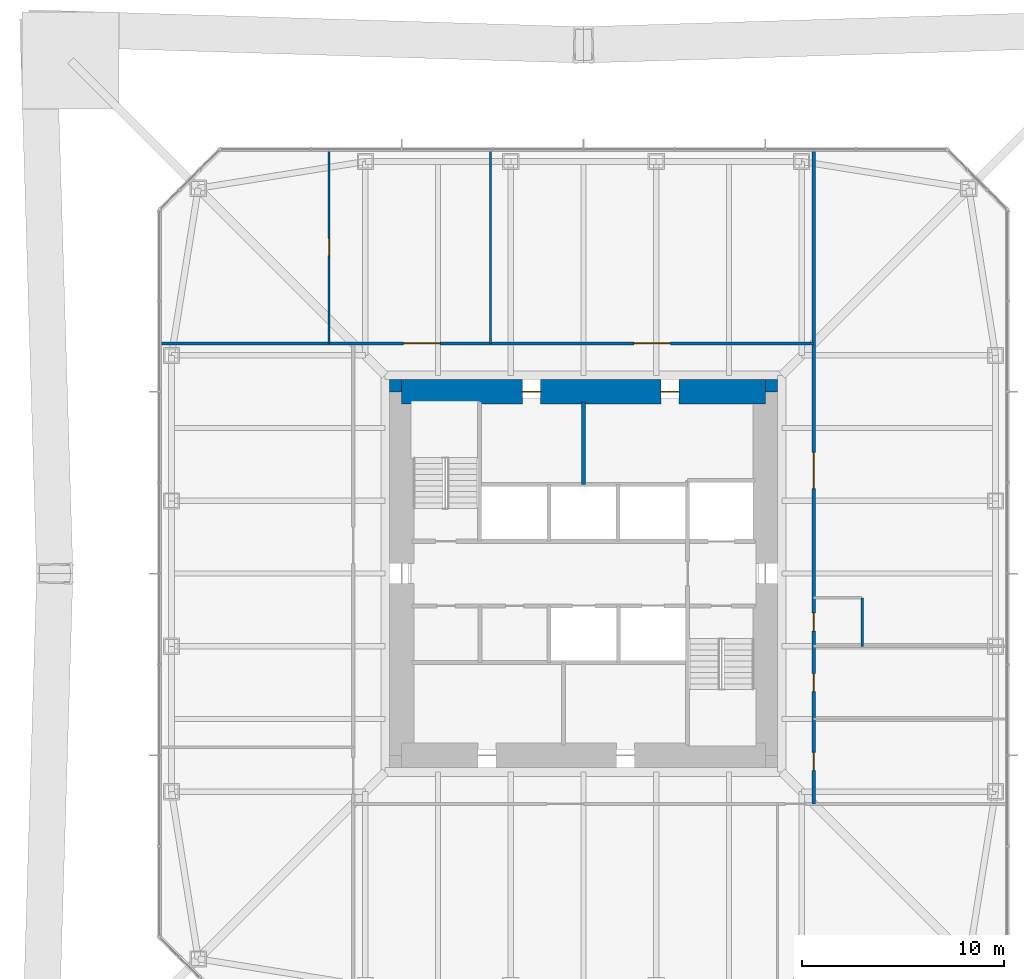
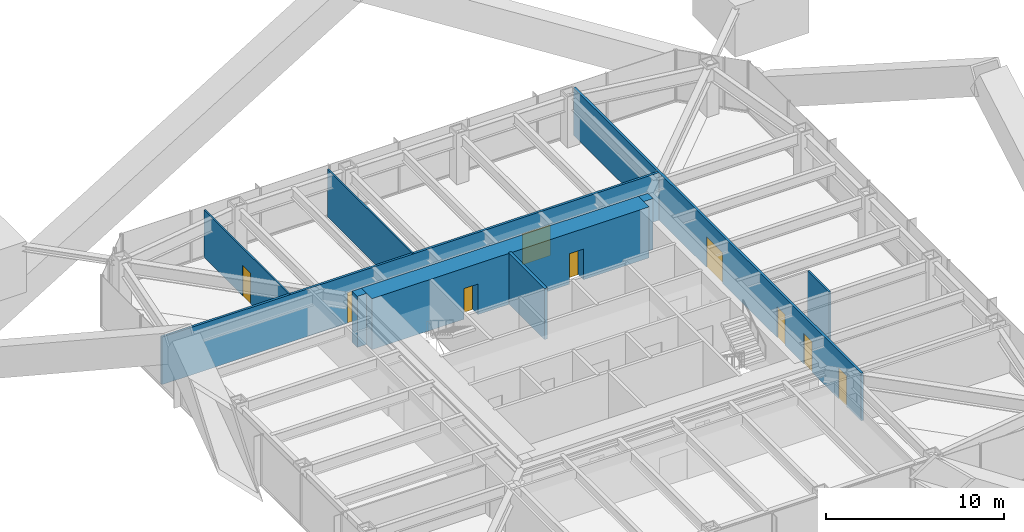
# One storey, part 13 of 21: 9 doors, 9 walls, 9 openings.
"""IFC4 building model written with IfcOpenShell, lengths in metres."""

from ifc_helpers import new_model, si_unit, direction, frame, frame_2d, origin, place, context, subcontext, project, spatial, rectangle, extrude, material, layer, layer_set, type_object, element, fill, save


model = new_model("IFC4")

# Units and contexts
model_context = context("Model", 3, precision=1e-05, world=origin(), true_north=direction((0.0, 1.0)))
body_context = subcontext(model_context, "Body", "Model", "MODEL_VIEW")
ifc_project = project(units=[si_unit("LENGTHUNIT", "METRE"), si_unit("AREAUNIT", "SQUARE_METRE"), si_unit("VOLUMEUNIT", "CUBIC_METRE"), si_unit("PLANEANGLEUNIT", "RADIAN"), si_unit("MASSUNIT", "GRAM", prefix="KILO")], contexts=[model_context])

# Site, building, storey
site_placement = place(None, origin())
site = spatial("IfcSite", under=ifc_project, at=site_placement, CompositionType="ELEMENT")
building_placement = place(site_placement, origin())
building = spatial("IfcBuilding", under=site, at=building_placement, Name="Iwan Alto Co-Living Towers", CompositionType="ELEMENT")
storey_placement = place(building_placement, frame((0.0, 0.0, 80.5)))
storey = spatial("IfcBuildingStorey", under=building, at=storey_placement, Name="L21", CompositionType="ELEMENT", Elevation=80.5)

# Wall, openings, doors
ifc_material_1 = material(Name="Gypsum board")
ifc_layer_1 = layer(ifc_material_1, 0.02490234375, Name="Board", Category="Finish")
ifc_material_2 = material(Name="Steel ASTM A1003 ST33H cold-formed studs", Category="steel")
ifc_layer_2 = layer(ifc_material_2, 0.10009765625, Name="Studs", Category="Framing")
ifc_layer_3 = layer(ifc_material_1, 0.02490234375, Name="Board", Category="Finish")
ifc_layer_set_1 = layer_set([ifc_layer_1, ifc_layer_2, ifc_layer_3], Name="CORRIDOR WALL 150")
wall_type_1 = type_object("IfcWallType", Name="CORRIDOR WALL 150", PredefinedType="PARTITIONING", material=ifc_layer_set_1)
wall_1_placement = place(storey_placement, frame((-20.93994140625, 11.39990234375, 0.0), z_axis=(0.0, 0.0, 1.0), x_axis=(1.0, 0.0, 0.0)))
wall_1 = element("IfcWall", 1, at=wall_1_placement, inside=storey, type_object=wall_type_1, Name="Partition L21", PredefinedType="PARTITIONING", context=body_context, shape_type="SweptSolid", body=[
    extrude(rectangle(XDim=32.33984375, YDim=0.14990234375, at=frame_2d((16.169921875, 0.0))), origin(), (0.0, 0.0, 1.0), 3.27001953125),
])
opening_1_placement = place(wall_1_placement, frame((23.43994140625, 0.0, 0.0)))
opening_1 = element("IfcOpeningElement", 2, at=opening_1_placement, cuts=wall_1, Name="Opening D9", PredefinedType="OPENING", context=body_context, shape_type="SweptSolid", body=[
    extrude(rectangle(XDim=1.800048828125, YDim=2.10009765625, at=frame_2d((0.89990234375, 1.050048828125))), frame((0.0, 0.0849609375, 0.0), z_axis=(0.0, -1.0, 0.0), x_axis=(1.0, 0.0, 0.0)), (0.0, 0.0, 1.0), 0.169921875),
])
opening_2_placement = place(wall_1_placement, frame((12.0400390625, 0.0, 0.0)))
opening_2 = element("IfcOpeningElement", 3, at=opening_2_placement, cuts=wall_1, Name="Opening D9", PredefinedType="OPENING", context=body_context, shape_type="SweptSolid", body=[
    extrude(rectangle(XDim=1.800048828125, YDim=2.10009765625, at=frame_2d((0.89990234375, 1.050048828125))), frame((0.0, 0.0849609375, 0.0), z_axis=(0.0, -1.0, 0.0), x_axis=(1.0, 0.0, 0.0)), (0.0, 0.0, 1.0), 0.169921875),
])
ifc_material_3 = material(Name="Steel frame with timber leaf", Category="steel")
door_type_1 = type_object("IfcDoorType", Name="LOUNGE DOOR FD30S 1800X2100", OperationType="DOUBLE_DOOR_SINGLE_SWING", PredefinedType="DOOR", material=ifc_material_3)
door_1_placement = place(opening_1_placement, origin())
door_1 = element("IfcDoor", 4, at=door_1_placement, inside=storey, type_object=door_type_1, Name="Study lounge door L21", OperationType="DOUBLE_DOOR_SINGLE_SWING", OverallHeight=2.10009765625, OverallWidth=1.800048828125, PredefinedType="DOOR", context=body_context, shape_type="SweptSolid", body=[
    extrude(rectangle(XDim=1.800048828125, YDim=2.10009765625, at=frame_2d((0.89990234375, 1.050048828125))), frame((0.0, 0.02490234375, 0.0), z_axis=(0.0, -1.0, 0.0), x_axis=(1.0, 0.0, 0.0)), (0.0, 0.0, 1.0), 0.050048828125),
])
fill(opening_1, door_1)
door_2_placement = place(opening_2_placement, origin())
door_2 = element("IfcDoor", 5, at=door_2_placement, inside=storey, type_object=door_type_1, Name="Meeting room door L21", OperationType="DOUBLE_DOOR_SINGLE_SWING", OverallHeight=2.10009765625, OverallWidth=1.800048828125, PredefinedType="DOOR", context=body_context, shape_type="SweptSolid", body=[
    extrude(rectangle(XDim=1.800048828125, YDim=2.10009765625, at=frame_2d((0.89990234375, 1.050048828125))), frame((0.0, 0.02490234375, 0.0), z_axis=(0.0, -1.0, 0.0), x_axis=(1.0, 0.0, 0.0)), (0.0, 0.0, 1.0), 0.050048828125),
])
fill(opening_2, door_2)

wall_2_placement = place(storey_placement, frame((11.39990234375, -11.39990234375, 0.0), z_axis=(0.0, 0.0, 1.0), x_axis=(0.0, 1.0, 0.0)))
wall_2 = element("IfcWall", 6, at=wall_2_placement, inside=storey, type_object=wall_type_1, Name="Partition L21", PredefinedType="PARTITIONING", context=body_context, shape_type="SweptSolid", body=[
    extrude(rectangle(XDim=32.33984375, YDim=0.14990234375, at=frame_2d((16.169921875, 0.0))), origin(), (0.0, 0.0, 1.0), 3.27001953125),
])
opening_3_placement = place(wall_2_placement, frame((1.64990234375, 0.0, 0.0)))
opening_3 = element("IfcOpeningElement", 7, at=opening_3_placement, cuts=wall_2, Name="Opening D4", PredefinedType="OPENING", context=body_context, shape_type="SweptSolid", body=[
    extrude(rectangle(XDim=0.89990234375, YDim=2.10009765625, at=frame_2d((0.449951171875, 1.050048828125))), frame((0.0, 0.0849609375, 0.0), z_axis=(0.0, -1.0, 0.0), x_axis=(1.0, 0.0, 0.0)), (0.0, 0.0, 1.0), 0.169921875),
])
opening_4_placement = place(wall_2_placement, frame((5.550048828125, 0.0, 0.0)))
opening_4 = element("IfcOpeningElement", 8, at=opening_4_placement, cuts=wall_2, Name="Opening D4", PredefinedType="OPENING", context=body_context, shape_type="SweptSolid", body=[
    extrude(rectangle(XDim=0.89990234375, YDim=2.10009765625, at=frame_2d((0.449951171875, 1.050048828125))), frame((0.0, 0.0849609375, 0.0), z_axis=(0.0, -1.0, 0.0), x_axis=(1.0, 0.0, 0.0)), (0.0, 0.0, 1.0), 0.169921875),
])
opening_5_placement = place(wall_2_placement, frame((8.550048828125, 0.0, 0.0)))
opening_5 = element("IfcOpeningElement", 9, at=opening_5_placement, cuts=wall_2, Name="Opening D4", PredefinedType="OPENING", context=body_context, shape_type="SweptSolid", body=[
    extrude(rectangle(XDim=0.89990234375, YDim=2.10009765625, at=frame_2d((0.449951171875, 1.050048828125))), frame((0.0, 0.0849609375, 0.0), z_axis=(0.0, -1.0, 0.0), x_axis=(1.0, 0.0, 0.0)), (0.0, 0.0, 1.0), 0.169921875),
])
opening_6_placement = place(wall_2_placement, frame((15.60009765625, 0.0, 0.0)))
opening_6 = element("IfcOpeningElement", 10, at=opening_6_placement, cuts=wall_2, Name="Opening D9", PredefinedType="OPENING", context=body_context, shape_type="SweptSolid", body=[
    extrude(rectangle(XDim=1.800048828125, YDim=2.10009765625, at=frame_2d((0.89990234375, 1.050048828125))), frame((0.0, 0.0849609375, 0.0), z_axis=(0.0, -1.0, 0.0), x_axis=(1.0, 0.0, 0.0)), (0.0, 0.0, 1.0), 0.169921875),
])
door_3_placement = place(opening_6_placement, frame((1.800048828125, 0.0, 0.0), z_axis=(0.0, 0.0, 1.0), x_axis=(-1.0, 0.0, 0.0)))
door_3 = element("IfcDoor", 11, at=door_3_placement, inside=storey, type_object=door_type_1, Name="Games room door L21", OperationType="DOUBLE_DOOR_SINGLE_SWING", OverallHeight=2.10009765625, OverallWidth=1.800048828125, PredefinedType="DOOR", context=body_context, shape_type="SweptSolid", body=[
    extrude(rectangle(XDim=1.800048828125, YDim=2.10009765625, at=frame_2d((0.89990234375, 1.050048828125))), frame((0.0, 0.02490234375, 0.0), z_axis=(0.0, -1.0, 0.0), x_axis=(1.0, 0.0, 0.0)), (0.0, 0.0, 1.0), 0.050048828125),
])
fill(opening_6, door_3)
ifc_material_4 = material(Name="Timber leaf in steel frame", Category="steel")
door_type_2 = type_object("IfcDoorType", Name="WC DOOR 900X2100", OperationType="SINGLE_SWING_LEFT", PredefinedType="DOOR", material=ifc_material_4)
door_4_placement = place(opening_3_placement, frame((0.89990234375, 0.0, 0.0), z_axis=(0.0, 0.0, 1.0), x_axis=(-1.0, 0.0, 0.0)))
door_4 = element("IfcDoor", 12, at=door_4_placement, inside=storey, type_object=door_type_2, Name="Women's toilets door L21", OperationType="SINGLE_SWING_RIGHT", OverallHeight=2.10009765625, OverallWidth=0.89990234375, PredefinedType="DOOR", context=body_context, shape_type="SweptSolid", body=[
    extrude(rectangle(XDim=0.89990234375, YDim=2.10009765625, at=frame_2d((0.449951171875, 1.050048828125))), frame((0.0, 0.02490234375, 0.0), z_axis=(0.0, -1.0, 0.0), x_axis=(1.0, 0.0, 0.0)), (0.0, 0.0, 1.0), 0.050048828125),
])
fill(opening_3, door_4)
door_5_placement = place(opening_4_placement, frame((0.89990234375, 0.0, 0.0), z_axis=(0.0, 0.0, 1.0), x_axis=(-1.0, 0.0, 0.0)))
door_5 = element("IfcDoor", 13, at=door_5_placement, inside=storey, type_object=door_type_2, Name="Men's toilets door L21", OperationType="SINGLE_SWING_RIGHT", OverallHeight=2.10009765625, OverallWidth=0.89990234375, PredefinedType="DOOR", context=body_context, shape_type="SweptSolid", body=[
    extrude(rectangle(XDim=0.89990234375, YDim=2.10009765625, at=frame_2d((0.449951171875, 1.050048828125))), frame((0.0, 0.02490234375, 0.0), z_axis=(0.0, -1.0, 0.0), x_axis=(1.0, 0.0, 0.0)), (0.0, 0.0, 1.0), 0.050048828125),
])
fill(opening_4, door_5)
door_6_placement = place(opening_5_placement, frame((0.89990234375, 0.0, 0.0), z_axis=(0.0, 0.0, 1.0), x_axis=(-1.0, 0.0, 0.0)))
door_6 = element("IfcDoor", 14, at=door_6_placement, inside=storey, type_object=door_type_2, Name="Accessible WC door L21", OperationType="SINGLE_SWING_RIGHT", OverallHeight=2.10009765625, OverallWidth=0.89990234375, PredefinedType="DOOR", context=body_context, shape_type="SweptSolid", body=[
    extrude(rectangle(XDim=0.89990234375, YDim=2.10009765625, at=frame_2d((0.449951171875, 1.050048828125))), frame((0.0, 0.02490234375, 0.0), z_axis=(0.0, -1.0, 0.0), x_axis=(1.0, 0.0, 0.0)), (0.0, 0.0, 1.0), 0.050048828125),
])
fill(opening_5, door_6)

# Wall
ifc_layer_4 = layer(ifc_material_1, 0.012451171875, Name="Board", Category="Finish")
ifc_layer_5 = layer(ifc_material_2, 0.074951171875, Name="Studs", Category="Framing")
ifc_layer_6 = layer(ifc_material_1, 0.012451171875, Name="Board", Category="Finish")
ifc_layer_set_2 = layer_set([ifc_layer_4, ifc_layer_5, ifc_layer_6], Name="PARTITION 100")
wall_type_2 = type_object("IfcWallType", Name="PARTITION 100", PredefinedType="PARTITIONING", material=ifc_layer_set_2)
wall_3_placement = place(storey_placement, frame((-4.60009765625, 11.39990234375, 0.0), z_axis=(0.0, 0.0, 1.0), x_axis=(0.0, 1.0, 0.0)))
element("IfcWall", 15, at=wall_3_placement, inside=storey, type_object=wall_type_2, Name="Partition L21", PredefinedType="PARTITIONING", context=body_context, shape_type="SweptSolid", body=[
    extrude(rectangle(XDim=9.5400390625, YDim=0.10009765625, at=frame_2d((4.77001953125, 0.0))), origin(), (0.0, 0.0, 1.0), 3.27001953125),
])

# Wall, opening, door
wall_4_placement = place(storey_placement, frame((-12.60009765625, 11.39990234375, 0.0), z_axis=(0.0, 0.0, 1.0), x_axis=(0.0, 1.0, 0.0)))
wall_4 = element("IfcWall", 16, at=wall_4_placement, inside=storey, type_object=wall_type_2, Name="Partition L21", PredefinedType="PARTITIONING", context=body_context, shape_type="SweptSolid", body=[
    extrude(rectangle(XDim=9.5400390625, YDim=0.10009765625, at=frame_2d((4.77001953125, 0.0))), origin(), (0.0, 0.0, 1.0), 3.27001953125),
])
opening_7_placement = place(wall_4_placement, frame((4.344970703125, 0.0, 0.0)))
opening_7 = element("IfcOpeningElement", 17, at=opening_7_placement, cuts=wall_4, Name="Opening D2", PredefinedType="OPENING", context=body_context, shape_type="SweptSolid", body=[
    extrude(rectangle(XDim=0.85009765625, YDim=2.10009765625, at=frame_2d((0.425048828125, 1.050048828125))), frame((0.0, 0.06005859375, 0.0), z_axis=(0.0, -1.0, 0.0), x_axis=(1.0, 0.0, 0.0)), (0.0, 0.0, 1.0), 0.1201171875),
])
ifc_material_5 = material(Name="Timber leaf in steel frame", Category="steel")
door_type_3 = type_object("IfcDoorType", Name="ROOM DOOR 850X2100", OperationType="SINGLE_SWING_LEFT", PredefinedType="DOOR", material=ifc_material_5)
door_7_placement = place(opening_7_placement, frame((0.85009765625, 0.0, 0.0), z_axis=(0.0, 0.0, 1.0), x_axis=(-1.0, 0.0, 0.0)))
door_7 = element("IfcDoor", 18, at=door_7_placement, inside=storey, type_object=door_type_3, Name="Music room door L21", OperationType="SINGLE_SWING_RIGHT", OverallHeight=2.10009765625, OverallWidth=0.85009765625, PredefinedType="DOOR", context=body_context, shape_type="SweptSolid", body=[
    extrude(rectangle(XDim=0.85009765625, YDim=2.10009765625, at=frame_2d((0.425048828125, 1.050048828125))), frame((0.0, 0.02490234375, 0.0), z_axis=(0.0, -1.0, 0.0), x_axis=(1.0, 0.0, 0.0)), (0.0, 0.0, 1.0), 0.050048828125),
])
fill(opening_7, door_7)

# Walls
ifc_material_6 = material(Name="Concrete f'c 70 MPa", Category="concrete")
ifc_layer_7 = layer(ifc_material_6, 0.199951171875)
ifc_layer_set_3 = layer_set([ifc_layer_7], Name="SHAFT WALL 200")
wall_type_3 = type_object("IfcWallType", Name="SHAFT WALL 200", PredefinedType="SOLIDWALL", material=ifc_layer_set_3)
wall_5_placement = place(storey_placement, frame((0.0, 4.39990234375, 0.0), z_axis=(0.0, 0.0, 1.0), x_axis=(0.0, 1.0, 0.0)))
element("IfcWall", 19, at=wall_5_placement, inside=storey, type_object=wall_type_3, Name="Shaft wall L21", PredefinedType="SOLIDWALL", context=body_context, shape_type="SweptSolid", body=[
    extrude(rectangle(XDim=4.090087890625, YDim=0.199951171875, at=frame_2d((2.044921875, 0.0))), origin(), (0.0, 0.0, 1.0), 3.5),
])
ifc_material_7 = material(Name="Concrete f'c 70 MPa", Category="concrete")
ifc_layer_8 = layer(ifc_material_7, 0.60009765625)
ifc_layer_set_4 = layer_set([ifc_layer_8], Name="T1 CORE CORNER FILL 600")
wall_type_4 = type_object("IfcWallType", Name="T1 CORE CORNER FILL 600", PredefinedType="SOLIDWALL", material=ifc_layer_set_4)
for number, where, z_axis, x_axis, name in (
    (20, (9.0, 9.300048828125, 0.0), (0.0, 0.0, 1.0), (1.0, 0.0, 0.0), "T1 core corner NE L21"),
    (21, (-9.60009765625, 9.300048828125, 0.0), (0.0, 0.0, 1.0), (1.0, 0.0, 0.0), "T1 core corner NW L21"),
):
    element("IfcWall", number, at=place(storey_placement, frame(where, z_axis=z_axis, x_axis=x_axis)), inside=storey, type_object=wall_type_4, Name=name, PredefinedType="SOLIDWALL", context=body_context, shape_type="SweptSolid", body=[
        extrude(rectangle(XDim=0.60009765625, YDim=0.60009765625, at=frame_2d((0.300048828125, 0.0))), origin(), (0.0, 0.0, 1.0), 3.5),
    ])

# Wall, openings, doors
ifc_material_8 = material(Name="Concrete f'c 70 MPa", Category="concrete")
ifc_layer_9 = layer(ifc_material_8, 1.199951171875)
ifc_layer_set_5 = layer_set([ifc_layer_9], Name="T1 CORE WALL 1200")
wall_type_5 = type_object("IfcWallType", Name="T1 CORE WALL 1200", PredefinedType="SHEAR", material=ifc_layer_set_5)
wall_6_placement = place(storey_placement, frame((9.0, 9.0, 0.0), z_axis=(0.0, 0.0, 1.0), x_axis=(-1.0, 0.0, 0.0)))
wall_6 = element("IfcWall", 22, at=wall_6_placement, inside=storey, type_object=wall_type_5, Name="T1 core wall N L21", PredefinedType="SHEAR", context=body_context, shape_type="SweptSolid", body=[
    extrude(rectangle(XDim=18.0, YDim=1.199951171875, at=frame_2d((9.0, 0.0))), origin(), (0.0, 0.0, 1.0), 3.5),
])
opening_8_placement = place(wall_6_placement, frame((11.125, 0.0, 0.0)))
opening_8 = element("IfcOpeningElement", 23, at=opening_8_placement, cuts=wall_6, Name="Opening D8", PredefinedType="OPENING", context=body_context, shape_type="SweptSolid", body=[
    extrude(rectangle(XDim=0.89990234375, YDim=2.10009765625, at=frame_2d((0.449951171875, 1.050048828125))), frame((0.0, 0.60986328125, 0.0), z_axis=(0.0, -1.0, 0.0), x_axis=(1.0, 0.0, 0.0)), (0.0, 0.0, 1.0), 1.219970703125),
])
opening_9_placement = place(wall_6_placement, frame((4.27490234375, 0.0, 0.0)))
opening_9 = element("IfcOpeningElement", 24, at=opening_9_placement, cuts=wall_6, Name="Opening D8", PredefinedType="OPENING", context=body_context, shape_type="SweptSolid", body=[
    extrude(rectangle(XDim=0.89990234375, YDim=2.10009765625, at=frame_2d((0.449951171875, 1.050048828125))), frame((0.0, 0.60986328125, 0.0), z_axis=(0.0, -1.0, 0.0), x_axis=(1.0, 0.0, 0.0)), (0.0, 0.0, 1.0), 1.219970703125),
])
ifc_material_9 = material(Name="Steel frame with timber leaf", Category="steel")
door_type_4 = type_object("IfcDoorType", Name="RISER DOOR FD120 900X2100", OperationType="SINGLE_SWING_LEFT", PredefinedType="DOOR", material=ifc_material_9)
door_8_placement = place(opening_8_placement, origin())
door_8 = element("IfcDoor", 25, at=door_8_placement, inside=storey, type_object=door_type_4, Name="Electrical riser core door L21", OperationType="SINGLE_SWING_RIGHT", OverallHeight=2.10009765625, OverallWidth=0.89990234375, PredefinedType="DOOR", context=body_context, shape_type="SweptSolid", body=[
    extrude(rectangle(XDim=0.89990234375, YDim=2.10009765625, at=frame_2d((0.449951171875, 1.050048828125))), frame((0.0, 0.02490234375, 0.0), z_axis=(0.0, -1.0, 0.0), x_axis=(1.0, 0.0, 0.0)), (0.0, 0.0, 1.0), 0.050048828125),
])
fill(opening_8, door_8)
door_9_placement = place(opening_9_placement, origin())
door_9 = element("IfcDoor", 26, at=door_9_placement, inside=storey, type_object=door_type_4, Name="Water and drainage riser core door L21", OperationType="SINGLE_SWING_RIGHT", OverallHeight=2.10009765625, OverallWidth=0.89990234375, PredefinedType="DOOR", context=body_context, shape_type="SweptSolid", body=[
    extrude(rectangle(XDim=0.89990234375, YDim=2.10009765625, at=frame_2d((0.449951171875, 1.050048828125))), frame((0.0, 0.02490234375, 0.0), z_axis=(0.0, -1.0, 0.0), x_axis=(1.0, 0.0, 0.0)), (0.0, 0.0, 1.0), 0.050048828125),
])
fill(opening_9, door_9)

# Wall
ifc_material_10 = material(Name="Cement board")
ifc_layer_10 = layer(ifc_material_10, 0.012451171875, Name="Board", Category="Finish")
ifc_layer_11 = layer(ifc_material_2, 0.094970703125, Name="Studs", Category="Framing")
ifc_layer_12 = layer(ifc_material_10, 0.012451171875, Name="Board", Category="Finish")
ifc_layer_set_6 = layer_set([ifc_layer_10, ifc_layer_11, ifc_layer_12], Name="WET AREA PARTITION 120")
wall_type_6 = type_object("IfcWallType", Name="WET AREA PARTITION 120", PredefinedType="PARTITIONING", material=ifc_layer_set_6)
wall_7_placement = place(storey_placement, frame((13.800048828125, -3.60009765625, 0.0), z_axis=(0.0, 0.0, 1.0), x_axis=(0.0, 1.0, 0.0)))
element("IfcWall", 27, at=wall_7_placement, inside=storey, type_object=wall_type_6, Name="Partition L21", PredefinedType="PARTITIONING", context=body_context, shape_type="SweptSolid", body=[
    extrude(rectangle(XDim=2.400146484375, YDim=0.1201171875, at=frame_2d((1.2001953125, 0.0))), origin(), (0.0, 0.0, 1.0), 3.27001953125),
])

save(model, "model.ifc")
